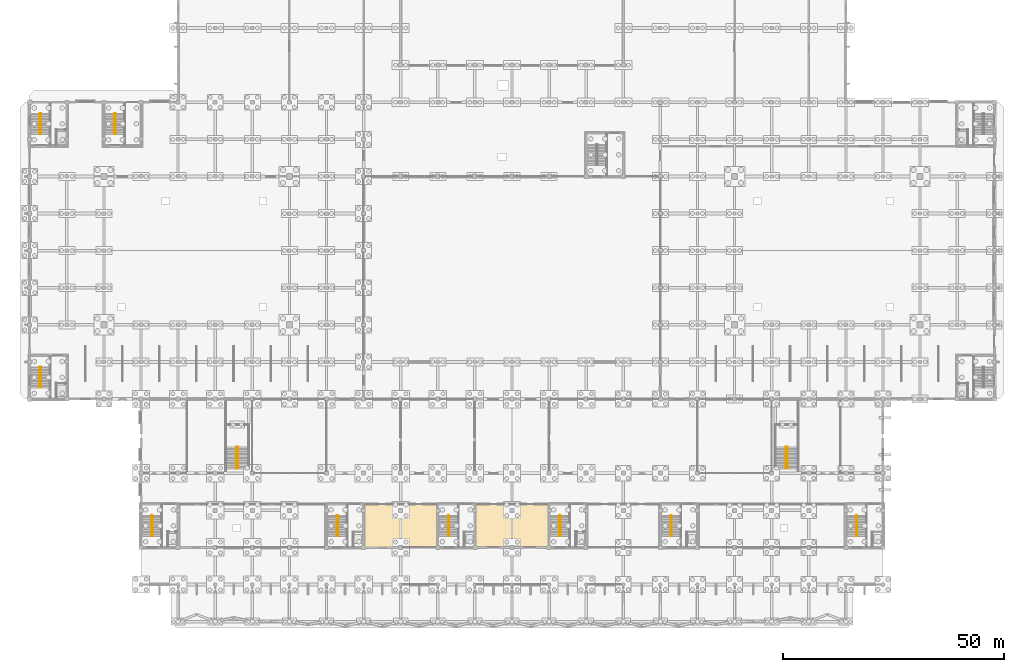
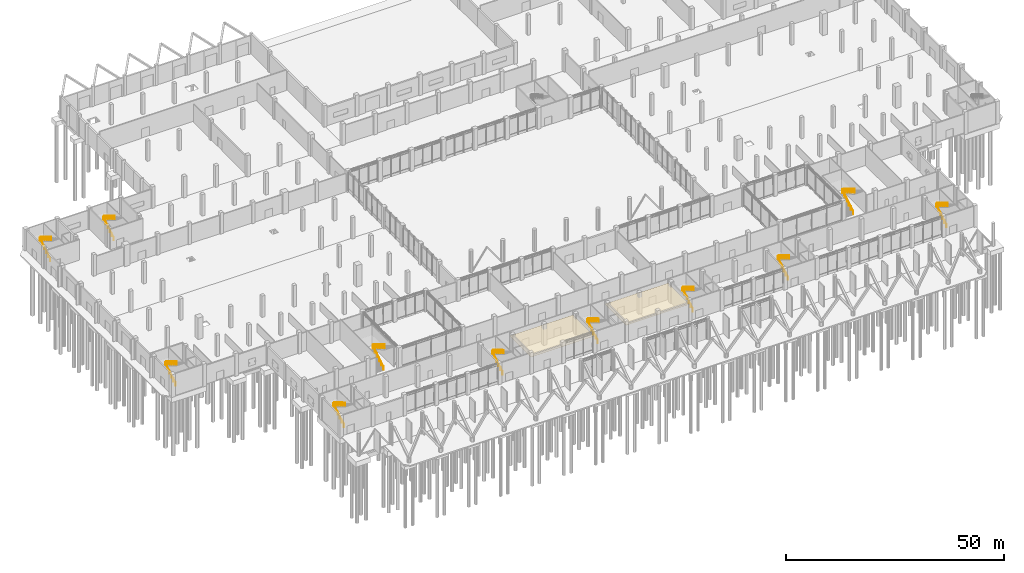
# One storey, part 70 of 72: 20 railings, 2 coverings.
"""IFC4 building model written with IfcOpenShell, lengths in metres."""

from ifc_helpers import new_model, si_unit, direction, frame, origin, origin_2d, place, context, subcontext, project, spatial, polyline, circle, outline, extrude, material, layer, layer_set, type_object, element, save


model = new_model("IFC4")

# Units and contexts
model_context = context("Model", 3, precision=1e-05, world=origin(), true_north=direction((0.0, 1.0)))
body_context = subcontext(model_context, "Body", "Model", "MODEL_VIEW")
ifc_project = project(units=[si_unit("LENGTHUNIT", "METRE"), si_unit("AREAUNIT", "SQUARE_METRE"), si_unit("VOLUMEUNIT", "CUBIC_METRE"), si_unit("PLANEANGLEUNIT", "RADIAN"), si_unit("MASSUNIT", "GRAM", prefix="KILO")], contexts=[model_context])

# Site, building, storey
site_placement = place(None, origin())
site = spatial("IfcSite", under=ifc_project, at=site_placement, CompositionType="ELEMENT")
building_placement = place(site_placement, origin())
building = spatial("IfcBuilding", under=site, at=building_placement, Name="Qawsi Khor Wholesale Market", CompositionType="ELEMENT")
storey_placement = place(building_placement, origin())
storey = spatial("IfcBuildingStorey", under=building, at=storey_placement, Name="L00", CompositionType="ELEMENT", Elevation=0.0)

# Railings
ifc_material_1 = material(Name="Brushed Stainless Steel 316", Category="steel")
railing_type_1 = type_object("IfcRailingType", Name="Atrium Guard Balustrade 1150", PredefinedType="BALUSTRADE", material=ifc_material_1)
railing_1_placement = place(storey_placement, frame((46.820068359375, 26.199951171875, 0.050048828125)))
element("IfcRailing", 1, at=railing_1_placement, inside=storey, type_object=railing_type_1, Name="Atrium stair well guard W L00", PredefinedType="BALUSTRADE", context=body_context, shape_type="SweptSolid", body=[
    extrude(circle(Radius=0.02392578125, at=origin_2d()), frame((0.0, 0.0, 1.1259765625), z_axis=(0.0, 0.854262269089, 0.519842260316), x_axis=(-1.0, 0.0, 0.0)), (0.0, 0.0, 1.0), 5.77099609375),
    extrude(circle(Radius=0.02392578125, at=origin_2d()), frame((0.0, 4.929931640625, 4.1259765625), z_axis=(1.0, 0.0, 0.0), x_axis=(0.0, 1.0, 0.0)), (0.0, 0.0, 1.0), 0.35986328125),
    extrude(circle(Radius=0.02392578125, at=origin_2d()), frame((0.35986328125, 4.929931640625, 4.1259765625), z_axis=(0.0, -0.854262269089, 0.519842260316), x_axis=(1.0, 0.0, 0.0)), (0.0, 0.0, 1.0), 5.77099609375),
    extrude(circle(Radius=0.02099609375, at=origin_2d()), origin(), (0.0, 0.0, 1.0), 1.101806640625),
    extrude(circle(Radius=0.02099609375, at=origin_2d()), frame((0.0, 0.986083984375, 0.60009765625)), (0.0, 0.0, 1.0), 1.101806640625),
    extrude(circle(Radius=0.02099609375, at=origin_2d()), frame((0.0, 1.971923828125, 1.199951171875)), (0.0, 0.0, 1.0), 1.101806640625),
    extrude(circle(Radius=0.02099609375, at=origin_2d()), frame((0.0, 2.9580078125, 1.800048828125)), (0.0, 0.0, 1.0), 1.101806640625),
    extrude(circle(Radius=0.02099609375, at=origin_2d()), frame((0.0, 3.94384765625, 2.39990234375)), (0.0, 0.0, 1.0), 1.101806640625),
    extrude(circle(Radius=0.02099609375, at=origin_2d()), frame((0.0, 4.929931640625, 3.0)), (0.0, 0.0, 1.0), 1.101806640625),
    extrude(circle(Radius=0.02099609375, at=origin_2d()), frame((0.35986328125, 4.929931640625, 3.0)), (0.0, 0.0, 1.0), 1.101806640625),
    extrude(circle(Radius=0.02099609375, at=origin_2d()), frame((0.35986328125, 3.94384765625, 3.60009765625)), (0.0, 0.0, 1.0), 1.101806640625),
    extrude(circle(Radius=0.02099609375, at=origin_2d()), frame((0.35986328125, 2.9580078125, 4.199951171875)), (0.0, 0.0, 1.0), 1.101806640625),
    extrude(circle(Radius=0.02099609375, at=origin_2d()), frame((0.35986328125, 1.971923828125, 4.800048828125)), (0.0, 0.0, 1.0), 1.101806640625),
    extrude(circle(Radius=0.02099609375, at=origin_2d()), frame((0.35986328125, 0.986083984375, 5.39990234375)), (0.0, 0.0, 1.0), 1.101806640625),
    extrude(circle(Radius=0.02099609375, at=origin_2d()), frame((0.35986328125, 0.0, 6.0)), (0.0, 0.0, 1.0), 1.101806640625),
])
railing_2_placement = place(storey_placement, frame((171.219970703125, 26.199951171875, 0.050048828125)))
element("IfcRailing", 2, at=railing_2_placement, inside=storey, type_object=railing_type_1, Name="Atrium stair well guard E L00", PredefinedType="BALUSTRADE", context=body_context, shape_type="SweptSolid", body=[
    extrude(circle(Radius=0.02392578125, at=origin_2d()), frame((0.0, 0.0, 1.1259765625), z_axis=(0.0, 0.854262269089, 0.519842260316), x_axis=(-1.0, 0.0, 0.0)), (0.0, 0.0, 1.0), 5.77099609375),
    extrude(circle(Radius=0.02392578125, at=origin_2d()), frame((0.0, 4.929931640625, 4.1259765625), z_axis=(1.0, 0.0, 0.0), x_axis=(0.0, 1.0, 0.0)), (0.0, 0.0, 1.0), 0.360107421875),
    extrude(circle(Radius=0.02392578125, at=origin_2d()), frame((0.360107421875, 4.929931640625, 4.1259765625), z_axis=(0.0, -0.854262269089, 0.519842260316), x_axis=(1.0, 0.0, 0.0)), (0.0, 0.0, 1.0), 5.77099609375),
    extrude(circle(Radius=0.02099609375, at=origin_2d()), origin(), (0.0, 0.0, 1.0), 1.101806640625),
    extrude(circle(Radius=0.02099609375, at=origin_2d()), frame((0.0, 0.986083984375, 0.60009765625)), (0.0, 0.0, 1.0), 1.101806640625),
    extrude(circle(Radius=0.02099609375, at=origin_2d()), frame((0.0, 1.971923828125, 1.199951171875)), (0.0, 0.0, 1.0), 1.101806640625),
    extrude(circle(Radius=0.02099609375, at=origin_2d()), frame((0.0, 2.9580078125, 1.800048828125)), (0.0, 0.0, 1.0), 1.101806640625),
    extrude(circle(Radius=0.02099609375, at=origin_2d()), frame((0.0, 3.94384765625, 2.39990234375)), (0.0, 0.0, 1.0), 1.101806640625),
    extrude(circle(Radius=0.02099609375, at=origin_2d()), frame((0.0, 4.929931640625, 3.0)), (0.0, 0.0, 1.0), 1.101806640625),
    extrude(circle(Radius=0.02099609375, at=origin_2d()), frame((0.360107421875, 4.929931640625, 3.0)), (0.0, 0.0, 1.0), 1.101806640625),
    extrude(circle(Radius=0.02099609375, at=origin_2d()), frame((0.360107421875, 3.94384765625, 3.60009765625)), (0.0, 0.0, 1.0), 1.101806640625),
    extrude(circle(Radius=0.02099609375, at=origin_2d()), frame((0.360107421875, 2.9580078125, 4.199951171875)), (0.0, 0.0, 1.0), 1.101806640625),
    extrude(circle(Radius=0.02099609375, at=origin_2d()), frame((0.360107421875, 1.971923828125, 4.800048828125)), (0.0, 0.0, 1.0), 1.101806640625),
    extrude(circle(Radius=0.02099609375, at=origin_2d()), frame((0.360107421875, 0.986083984375, 5.39990234375)), (0.0, 0.0, 1.0), 1.101806640625),
    extrude(circle(Radius=0.02099609375, at=origin_2d()), frame((0.360107421875, 0.0, 6.0)), (0.0, 0.0, 1.0), 1.101806640625),
])

# Coverings
ifc_material_2 = material(Name="Perforated Powder-Coated Aluminium Ceiling", Category="aluminium")
ifc_layer = layer(ifc_material_2, 0.034912109375, Name="Perforated Powder-Coated Aluminium Ceiling")
ifc_layer_set = layer_set([ifc_layer], Name="Perforated Powder-Coated Aluminium Ceiling")
covering_type = type_object("IfcCoveringType", Name="Perforated Acoustic Metal Tile Ceiling", PredefinedType="CEILING", material=ifc_layer_set)
covering_1_placement = place(storey_placement, frame((0.0, 0.0, 4.5)))
element("IfcCovering", 3, at=covering_1_placement, inside=storey, type_object=covering_type, Name="Suspended ceiling 1", PredefinedType="CEILING", context=body_context, shape_type="SweptSolid", body=[
    extrude(outline(polyline([(100.800048828125, 8.39990234375), (117.60009765625, 8.39990234375), (117.60009765625, 18.199951171875), (100.800048828125, 18.199951171875), (100.800048828125, 8.39990234375)])), origin(), (0.0, 0.0, 1.0), 0.034912109375),
])
covering_2_placement = place(storey_placement, frame((0.0, 0.0, 4.39990234375)))
element("IfcCovering", 4, at=covering_2_placement, inside=storey, type_object=covering_type, Name="Suspended ceiling 2", PredefinedType="CEILING", context=body_context, shape_type="SweptSolid", body=[
    extrude(outline(polyline([(75.60009765625, 8.39990234375), (92.39990234375, 8.39990234375), (92.39990234375, 18.199951171875), (75.60009765625, 18.199951171875), (75.60009765625, 8.39990234375)])), origin(), (0.0, 0.0, 1.0), 0.03515625),
])

# Railings
railing_type_2 = type_object("IfcRailingType", Name="Stair Pitch Handrail 920", PredefinedType="HANDRAIL", material=ifc_material_1)
railing_3_placement = place(storey_placement, frame((27.5400390625, 10.919921875, 0.166748046875)))
element("IfcRailing", 5, at=railing_3_placement, inside=storey, type_object=railing_type_2, Name="Stair handrail ST-01 L00 F1", PredefinedType="HANDRAIL", context=body_context, shape_type="SweptSolid", body=[
    extrude(circle(Radius=0.02392578125, at=origin_2d()), frame((0.0, 0.0, 0.89599609375), z_axis=(0.0, 0.859299802514, 0.511472237174), x_axis=(-1.0, 0.0, 0.0)), (0.0, 0.0, 1.0), 5.539306640625),
    extrude(circle(Radius=0.02099609375, at=origin_2d()), origin(), (0.0, 0.0, 1.0), 0.871826171875),
    extrude(circle(Radius=0.02099609375, at=origin_2d()), frame((0.0, 0.951904296875, 0.566650390625)), (0.0, 0.0, 1.0), 0.871826171875),
    extrude(circle(Radius=0.02099609375, at=origin_2d()), frame((0.0, 1.904052734375, 1.13330078125)), (0.0, 0.0, 1.0), 0.871826171875),
    extrude(circle(Radius=0.02099609375, at=origin_2d()), frame((0.0, 2.85595703125, 1.699951171875)), (0.0, 0.0, 1.0), 0.871826171875),
    extrude(circle(Radius=0.02099609375, at=origin_2d()), frame((0.0, 3.80810546875, 2.2666015625)), (0.0, 0.0, 1.0), 0.871826171875),
    extrude(circle(Radius=0.02099609375, at=origin_2d()), frame((0.0, 4.760009765625, 2.833251953125)), (0.0, 0.0, 1.0), 0.871826171875),
])
railing_4_placement = place(storey_placement, frame((27.800048828125, 15.679931640625, 3.166748046875)))
element("IfcRailing", 6, at=railing_4_placement, inside=storey, type_object=railing_type_2, Name="Stair handrail ST-01 L00 F2", PredefinedType="HANDRAIL", context=body_context, shape_type="SweptSolid", body=[
    extrude(circle(Radius=0.02392578125, at=origin_2d()), frame((0.0, 0.0, 0.89599609375), z_axis=(0.0, -0.859299802514, 0.511472237174), x_axis=(1.0, 0.0, 0.0)), (0.0, 0.0, 1.0), 5.539306640625),
    extrude(circle(Radius=0.02099609375, at=origin_2d()), origin(), (0.0, 0.0, 1.0), 0.871826171875),
    extrude(circle(Radius=0.02099609375, at=origin_2d()), frame((0.0, -0.951904296875, 0.566650390625)), (0.0, 0.0, 1.0), 0.871826171875),
    extrude(circle(Radius=0.02099609375, at=origin_2d()), frame((0.0, -1.904052734375, 1.13330078125)), (0.0, 0.0, 1.0), 0.871826171875),
    extrude(circle(Radius=0.02099609375, at=origin_2d()), frame((0.0, -2.85595703125, 1.699951171875)), (0.0, 0.0, 1.0), 0.871826171875),
    extrude(circle(Radius=0.02099609375, at=origin_2d()), frame((0.0, -3.80810546875, 2.2666015625)), (0.0, 0.0, 1.0), 0.871826171875),
    extrude(circle(Radius=0.02099609375, at=origin_2d()), frame((0.0, -4.760009765625, 2.833251953125)), (0.0, 0.0, 1.0), 0.871826171875),
])
railing_5_placement = place(storey_placement, frame((69.5400390625, 10.919921875, 0.166748046875)))
element("IfcRailing", 7, at=railing_5_placement, inside=storey, type_object=railing_type_2, Name="Stair handrail ST-02 L00 F1", PredefinedType="HANDRAIL", context=body_context, shape_type="SweptSolid", body=[
    extrude(circle(Radius=0.02392578125, at=origin_2d()), frame((0.0, 0.0, 0.89599609375), z_axis=(0.0, 0.859299802514, 0.511472237174), x_axis=(-1.0, 0.0, 0.0)), (0.0, 0.0, 1.0), 5.539306640625),
    extrude(circle(Radius=0.02099609375, at=origin_2d()), origin(), (0.0, 0.0, 1.0), 0.871826171875),
    extrude(circle(Radius=0.02099609375, at=origin_2d()), frame((0.0, 0.951904296875, 0.566650390625)), (0.0, 0.0, 1.0), 0.871826171875),
    extrude(circle(Radius=0.02099609375, at=origin_2d()), frame((0.0, 1.904052734375, 1.13330078125)), (0.0, 0.0, 1.0), 0.871826171875),
    extrude(circle(Radius=0.02099609375, at=origin_2d()), frame((0.0, 2.85595703125, 1.699951171875)), (0.0, 0.0, 1.0), 0.871826171875),
    extrude(circle(Radius=0.02099609375, at=origin_2d()), frame((0.0, 3.80810546875, 2.2666015625)), (0.0, 0.0, 1.0), 0.871826171875),
    extrude(circle(Radius=0.02099609375, at=origin_2d()), frame((0.0, 4.760009765625, 2.833251953125)), (0.0, 0.0, 1.0), 0.871826171875),
])
railing_6_placement = place(storey_placement, frame((69.800048828125, 15.679931640625, 3.166748046875)))
element("IfcRailing", 8, at=railing_6_placement, inside=storey, type_object=railing_type_2, Name="Stair handrail ST-02 L00 F2", PredefinedType="HANDRAIL", context=body_context, shape_type="SweptSolid", body=[
    extrude(circle(Radius=0.02392578125, at=origin_2d()), frame((0.0, 0.0, 0.89599609375), z_axis=(0.0, -0.859299802514, 0.511472237174), x_axis=(1.0, 0.0, 0.0)), (0.0, 0.0, 1.0), 5.539306640625),
    extrude(circle(Radius=0.02099609375, at=origin_2d()), origin(), (0.0, 0.0, 1.0), 0.871826171875),
    extrude(circle(Radius=0.02099609375, at=origin_2d()), frame((0.0, -0.951904296875, 0.566650390625)), (0.0, 0.0, 1.0), 0.871826171875),
    extrude(circle(Radius=0.02099609375, at=origin_2d()), frame((0.0, -1.904052734375, 1.13330078125)), (0.0, 0.0, 1.0), 0.871826171875),
    extrude(circle(Radius=0.02099609375, at=origin_2d()), frame((0.0, -2.85595703125, 1.699951171875)), (0.0, 0.0, 1.0), 0.871826171875),
    extrude(circle(Radius=0.02099609375, at=origin_2d()), frame((0.0, -3.80810546875, 2.2666015625)), (0.0, 0.0, 1.0), 0.871826171875),
    extrude(circle(Radius=0.02099609375, at=origin_2d()), frame((0.0, -4.760009765625, 2.833251953125)), (0.0, 0.0, 1.0), 0.871826171875),
])
railing_7_placement = place(storey_placement, frame((94.739990234375, 10.919921875, 0.166748046875)))
element("IfcRailing", 9, at=railing_7_placement, inside=storey, type_object=railing_type_2, Name="Stair handrail ST-03 L00 F1", PredefinedType="HANDRAIL", context=body_context, shape_type="SweptSolid", body=[
    extrude(circle(Radius=0.02392578125, at=origin_2d()), frame((0.0, 0.0, 0.89599609375), z_axis=(0.0, 0.859299802514, 0.511472237174), x_axis=(-1.0, 0.0, 0.0)), (0.0, 0.0, 1.0), 5.539306640625),
    extrude(circle(Radius=0.02099609375, at=origin_2d()), origin(), (0.0, 0.0, 1.0), 0.871826171875),
    extrude(circle(Radius=0.02099609375, at=origin_2d()), frame((0.0, 0.951904296875, 0.566650390625)), (0.0, 0.0, 1.0), 0.871826171875),
    extrude(circle(Radius=0.02099609375, at=origin_2d()), frame((0.0, 1.904052734375, 1.13330078125)), (0.0, 0.0, 1.0), 0.871826171875),
    extrude(circle(Radius=0.02099609375, at=origin_2d()), frame((0.0, 2.85595703125, 1.699951171875)), (0.0, 0.0, 1.0), 0.871826171875),
    extrude(circle(Radius=0.02099609375, at=origin_2d()), frame((0.0, 3.80810546875, 2.2666015625)), (0.0, 0.0, 1.0), 0.871826171875),
    extrude(circle(Radius=0.02099609375, at=origin_2d()), frame((0.0, 4.760009765625, 2.833251953125)), (0.0, 0.0, 1.0), 0.871826171875),
])
railing_8_placement = place(storey_placement, frame((95.0, 15.679931640625, 3.166748046875)))
element("IfcRailing", 10, at=railing_8_placement, inside=storey, type_object=railing_type_2, Name="Stair handrail ST-03 L00 F2", PredefinedType="HANDRAIL", context=body_context, shape_type="SweptSolid", body=[
    extrude(circle(Radius=0.02392578125, at=origin_2d()), frame((0.0, 0.0, 0.89599609375), z_axis=(0.0, -0.859299802514, 0.511472237174), x_axis=(1.0, 0.0, 0.0)), (0.0, 0.0, 1.0), 5.539306640625),
    extrude(circle(Radius=0.02099609375, at=origin_2d()), origin(), (0.0, 0.0, 1.0), 0.871826171875),
    extrude(circle(Radius=0.02099609375, at=origin_2d()), frame((0.0, -0.951904296875, 0.566650390625)), (0.0, 0.0, 1.0), 0.871826171875),
    extrude(circle(Radius=0.02099609375, at=origin_2d()), frame((0.0, -1.904052734375, 1.13330078125)), (0.0, 0.0, 1.0), 0.871826171875),
    extrude(circle(Radius=0.02099609375, at=origin_2d()), frame((0.0, -2.85595703125, 1.699951171875)), (0.0, 0.0, 1.0), 0.871826171875),
    extrude(circle(Radius=0.02099609375, at=origin_2d()), frame((0.0, -3.80810546875, 2.2666015625)), (0.0, 0.0, 1.0), 0.871826171875),
    extrude(circle(Radius=0.02099609375, at=origin_2d()), frame((0.0, -4.760009765625, 2.833251953125)), (0.0, 0.0, 1.0), 0.871826171875),
])
railing_9_placement = place(storey_placement, frame((119.93994140625, 10.919921875, 0.166748046875)))
element("IfcRailing", 11, at=railing_9_placement, inside=storey, type_object=railing_type_2, Name="Stair handrail ST-04 L00 F1", PredefinedType="HANDRAIL", context=body_context, shape_type="SweptSolid", body=[
    extrude(circle(Radius=0.02392578125, at=origin_2d()), frame((0.0, 0.0, 0.89599609375), z_axis=(0.0, 0.859299802514, 0.511472237174), x_axis=(-1.0, 0.0, 0.0)), (0.0, 0.0, 1.0), 5.539306640625),
    extrude(circle(Radius=0.02099609375, at=origin_2d()), origin(), (0.0, 0.0, 1.0), 0.871826171875),
    extrude(circle(Radius=0.02099609375, at=origin_2d()), frame((0.0, 0.951904296875, 0.566650390625)), (0.0, 0.0, 1.0), 0.871826171875),
    extrude(circle(Radius=0.02099609375, at=origin_2d()), frame((0.0, 1.904052734375, 1.13330078125)), (0.0, 0.0, 1.0), 0.871826171875),
    extrude(circle(Radius=0.02099609375, at=origin_2d()), frame((0.0, 2.85595703125, 1.699951171875)), (0.0, 0.0, 1.0), 0.871826171875),
    extrude(circle(Radius=0.02099609375, at=origin_2d()), frame((0.0, 3.80810546875, 2.2666015625)), (0.0, 0.0, 1.0), 0.871826171875),
    extrude(circle(Radius=0.02099609375, at=origin_2d()), frame((0.0, 4.760009765625, 2.833251953125)), (0.0, 0.0, 1.0), 0.871826171875),
])
railing_10_placement = place(storey_placement, frame((120.199951171875, 15.679931640625, 3.166748046875)))
element("IfcRailing", 12, at=railing_10_placement, inside=storey, type_object=railing_type_2, Name="Stair handrail ST-04 L00 F2", PredefinedType="HANDRAIL", context=body_context, shape_type="SweptSolid", body=[
    extrude(circle(Radius=0.02392578125, at=origin_2d()), frame((0.0, 0.0, 0.89599609375), z_axis=(0.0, -0.859299802514, 0.511472237174), x_axis=(1.0, 0.0, 0.0)), (0.0, 0.0, 1.0), 5.539306640625),
    extrude(circle(Radius=0.02099609375, at=origin_2d()), origin(), (0.0, 0.0, 1.0), 0.871826171875),
    extrude(circle(Radius=0.02099609375, at=origin_2d()), frame((0.0, -0.951904296875, 0.566650390625)), (0.0, 0.0, 1.0), 0.871826171875),
    extrude(circle(Radius=0.02099609375, at=origin_2d()), frame((0.0, -1.904052734375, 1.13330078125)), (0.0, 0.0, 1.0), 0.871826171875),
    extrude(circle(Radius=0.02099609375, at=origin_2d()), frame((0.0, -2.85595703125, 1.699951171875)), (0.0, 0.0, 1.0), 0.871826171875),
    extrude(circle(Radius=0.02099609375, at=origin_2d()), frame((0.0, -3.80810546875, 2.2666015625)), (0.0, 0.0, 1.0), 0.871826171875),
    extrude(circle(Radius=0.02099609375, at=origin_2d()), frame((0.0, -4.760009765625, 2.833251953125)), (0.0, 0.0, 1.0), 0.871826171875),
])
railing_11_placement = place(storey_placement, frame((145.139892578125, 10.919921875, 0.166748046875)))
element("IfcRailing", 13, at=railing_11_placement, inside=storey, type_object=railing_type_2, Name="Stair handrail ST-05 L00 F1", PredefinedType="HANDRAIL", context=body_context, shape_type="SweptSolid", body=[
    extrude(circle(Radius=0.02392578125, at=origin_2d()), frame((0.0, 0.0, 0.89599609375), z_axis=(0.0, 0.859299802514, 0.511472237174), x_axis=(-1.0, 0.0, 0.0)), (0.0, 0.0, 1.0), 5.539306640625),
    extrude(circle(Radius=0.02099609375, at=origin_2d()), origin(), (0.0, 0.0, 1.0), 0.871826171875),
    extrude(circle(Radius=0.02099609375, at=origin_2d()), frame((0.0, 0.951904296875, 0.566650390625)), (0.0, 0.0, 1.0), 0.871826171875),
    extrude(circle(Radius=0.02099609375, at=origin_2d()), frame((0.0, 1.904052734375, 1.13330078125)), (0.0, 0.0, 1.0), 0.871826171875),
    extrude(circle(Radius=0.02099609375, at=origin_2d()), frame((0.0, 2.85595703125, 1.699951171875)), (0.0, 0.0, 1.0), 0.871826171875),
    extrude(circle(Radius=0.02099609375, at=origin_2d()), frame((0.0, 3.80810546875, 2.2666015625)), (0.0, 0.0, 1.0), 0.871826171875),
    extrude(circle(Radius=0.02099609375, at=origin_2d()), frame((0.0, 4.760009765625, 2.833251953125)), (0.0, 0.0, 1.0), 0.871826171875),
])
railing_12_placement = place(storey_placement, frame((145.39990234375, 15.679931640625, 3.166748046875)))
element("IfcRailing", 14, at=railing_12_placement, inside=storey, type_object=railing_type_2, Name="Stair handrail ST-05 L00 F2", PredefinedType="HANDRAIL", context=body_context, shape_type="SweptSolid", body=[
    extrude(circle(Radius=0.02392578125, at=origin_2d()), frame((0.0, 0.0, 0.89599609375), z_axis=(0.0, -0.859299802514, 0.511472237174), x_axis=(1.0, 0.0, 0.0)), (0.0, 0.0, 1.0), 5.539306640625),
    extrude(circle(Radius=0.02099609375, at=origin_2d()), origin(), (0.0, 0.0, 1.0), 0.871826171875),
    extrude(circle(Radius=0.02099609375, at=origin_2d()), frame((0.0, -0.951904296875, 0.566650390625)), (0.0, 0.0, 1.0), 0.871826171875),
    extrude(circle(Radius=0.02099609375, at=origin_2d()), frame((0.0, -1.904052734375, 1.13330078125)), (0.0, 0.0, 1.0), 0.871826171875),
    extrude(circle(Radius=0.02099609375, at=origin_2d()), frame((0.0, -2.85595703125, 1.699951171875)), (0.0, 0.0, 1.0), 0.871826171875),
    extrude(circle(Radius=0.02099609375, at=origin_2d()), frame((0.0, -3.80810546875, 2.2666015625)), (0.0, 0.0, 1.0), 0.871826171875),
    extrude(circle(Radius=0.02099609375, at=origin_2d()), frame((0.0, -4.760009765625, 2.833251953125)), (0.0, 0.0, 1.0), 0.871826171875),
])
railing_13_placement = place(storey_placement, frame((187.139892578125, 10.919921875, 0.166748046875)))
element("IfcRailing", 15, at=railing_13_placement, inside=storey, type_object=railing_type_2, Name="Stair handrail ST-06 L00 F1", PredefinedType="HANDRAIL", context=body_context, shape_type="SweptSolid", body=[
    extrude(circle(Radius=0.02392578125, at=origin_2d()), frame((0.0, 0.0, 0.89599609375), z_axis=(0.0, 0.859299802514, 0.511472237174), x_axis=(-1.0, 0.0, 0.0)), (0.0, 0.0, 1.0), 5.539306640625),
    extrude(circle(Radius=0.02099609375, at=origin_2d()), origin(), (0.0, 0.0, 1.0), 0.871826171875),
    extrude(circle(Radius=0.02099609375, at=origin_2d()), frame((0.0, 0.951904296875, 0.566650390625)), (0.0, 0.0, 1.0), 0.871826171875),
    extrude(circle(Radius=0.02099609375, at=origin_2d()), frame((0.0, 1.904052734375, 1.13330078125)), (0.0, 0.0, 1.0), 0.871826171875),
    extrude(circle(Radius=0.02099609375, at=origin_2d()), frame((0.0, 2.85595703125, 1.699951171875)), (0.0, 0.0, 1.0), 0.871826171875),
    extrude(circle(Radius=0.02099609375, at=origin_2d()), frame((0.0, 3.80810546875, 2.2666015625)), (0.0, 0.0, 1.0), 0.871826171875),
    extrude(circle(Radius=0.02099609375, at=origin_2d()), frame((0.0, 4.760009765625, 2.833251953125)), (0.0, 0.0, 1.0), 0.871826171875),
])
railing_14_placement = place(storey_placement, frame((187.39990234375, 15.679931640625, 3.166748046875)))
element("IfcRailing", 16, at=railing_14_placement, inside=storey, type_object=railing_type_2, Name="Stair handrail ST-06 L00 F2", PredefinedType="HANDRAIL", context=body_context, shape_type="SweptSolid", body=[
    extrude(circle(Radius=0.02392578125, at=origin_2d()), frame((0.0, 0.0, 0.89599609375), z_axis=(0.0, -0.859299802514, 0.511472237174), x_axis=(1.0, 0.0, 0.0)), (0.0, 0.0, 1.0), 5.539306640625),
    extrude(circle(Radius=0.02099609375, at=origin_2d()), origin(), (0.0, 0.0, 1.0), 0.871826171875),
    extrude(circle(Radius=0.02099609375, at=origin_2d()), frame((0.0, -0.951904296875, 0.566650390625)), (0.0, 0.0, 1.0), 0.871826171875),
    extrude(circle(Radius=0.02099609375, at=origin_2d()), frame((0.0, -1.904052734375, 1.13330078125)), (0.0, 0.0, 1.0), 0.871826171875),
    extrude(circle(Radius=0.02099609375, at=origin_2d()), frame((0.0, -2.85595703125, 1.699951171875)), (0.0, 0.0, 1.0), 0.871826171875),
    extrude(circle(Radius=0.02099609375, at=origin_2d()), frame((0.0, -3.80810546875, 2.2666015625)), (0.0, 0.0, 1.0), 0.871826171875),
    extrude(circle(Radius=0.02099609375, at=origin_2d()), frame((0.0, -4.760009765625, 2.833251953125)), (0.0, 0.0, 1.0), 0.871826171875),
])
railing_15_placement = place(storey_placement, frame((2.340087890625, 44.52001953125, 0.166748046875)))
element("IfcRailing", 17, at=railing_15_placement, inside=storey, type_object=railing_type_2, Name="Stair handrail ST-07 L00 F1", PredefinedType="HANDRAIL", context=body_context, shape_type="SweptSolid", body=[
    extrude(circle(Radius=0.02392578125, at=origin_2d()), frame((0.0, 0.0, 0.89599609375), z_axis=(0.0, 0.859299802514, 0.511472237174), x_axis=(-1.0, 0.0, 0.0)), (0.0, 0.0, 1.0), 5.539306640625),
    extrude(circle(Radius=0.02099609375, at=origin_2d()), origin(), (0.0, 0.0, 1.0), 0.871826171875),
    extrude(circle(Radius=0.02099609375, at=origin_2d()), frame((0.0, 0.951904296875, 0.566650390625)), (0.0, 0.0, 1.0), 0.871826171875),
    extrude(circle(Radius=0.02099609375, at=origin_2d()), frame((0.0, 1.904052734375, 1.13330078125)), (0.0, 0.0, 1.0), 0.871826171875),
    extrude(circle(Radius=0.02099609375, at=origin_2d()), frame((0.0, 2.85595703125, 1.699951171875)), (0.0, 0.0, 1.0), 0.871826171875),
    extrude(circle(Radius=0.02099609375, at=origin_2d()), frame((0.0, 3.80810546875, 2.2666015625)), (0.0, 0.0, 1.0), 0.871826171875),
    extrude(circle(Radius=0.02099609375, at=origin_2d()), frame((0.0, 4.760009765625, 2.833251953125)), (0.0, 0.0, 1.0), 0.871826171875),
])
railing_16_placement = place(storey_placement, frame((2.60009765625, 49.280029296875, 3.166748046875)))
element("IfcRailing", 18, at=railing_16_placement, inside=storey, type_object=railing_type_2, Name="Stair handrail ST-07 L00 F2", PredefinedType="HANDRAIL", context=body_context, shape_type="SweptSolid", body=[
    extrude(circle(Radius=0.02392578125, at=origin_2d()), frame((0.0, 0.0, 0.89599609375), z_axis=(0.0, -0.859299802514, 0.511472237174), x_axis=(1.0, 0.0, 0.0)), (0.0, 0.0, 1.0), 5.539306640625),
    extrude(circle(Radius=0.02099609375, at=origin_2d()), origin(), (0.0, 0.0, 1.0), 0.871826171875),
    extrude(circle(Radius=0.02099609375, at=origin_2d()), frame((0.0, -0.951904296875, 0.566650390625)), (0.0, 0.0, 1.0), 0.871826171875),
    extrude(circle(Radius=0.02099609375, at=origin_2d()), frame((0.0, -1.904052734375, 1.13330078125)), (0.0, 0.0, 1.0), 0.871826171875),
    extrude(circle(Radius=0.02099609375, at=origin_2d()), frame((0.0, -2.85595703125, 1.699951171875)), (0.0, 0.0, 1.0), 0.871826171875),
    extrude(circle(Radius=0.02099609375, at=origin_2d()), frame((0.0, -3.80810546875, 2.2666015625)), (0.0, 0.0, 1.0), 0.871826171875),
    extrude(circle(Radius=0.02099609375, at=origin_2d()), frame((0.0, -4.760009765625, 2.833251953125)), (0.0, 0.0, 1.0), 0.871826171875),
])
railing_17_placement = place(storey_placement, frame((2.340087890625, 101.919921875, 0.166748046875)))
element("IfcRailing", 19, at=railing_17_placement, inside=storey, type_object=railing_type_2, Name="Stair handrail ST-08 L00 F1", PredefinedType="HANDRAIL", context=body_context, shape_type="SweptSolid", body=[
    extrude(circle(Radius=0.02392578125, at=origin_2d()), frame((0.0, 0.0, 0.89599609375), z_axis=(0.0, 0.859299802514, 0.511472237174), x_axis=(-1.0, 0.0, 0.0)), (0.0, 0.0, 1.0), 5.539306640625),
    extrude(circle(Radius=0.02099609375, at=origin_2d()), origin(), (0.0, 0.0, 1.0), 0.871826171875),
    extrude(circle(Radius=0.02099609375, at=origin_2d()), frame((0.0, 0.951904296875, 0.566650390625)), (0.0, 0.0, 1.0), 0.871826171875),
    extrude(circle(Radius=0.02099609375, at=origin_2d()), frame((0.0, 1.904052734375, 1.13330078125)), (0.0, 0.0, 1.0), 0.871826171875),
    extrude(circle(Radius=0.02099609375, at=origin_2d()), frame((0.0, 2.85595703125, 1.699951171875)), (0.0, 0.0, 1.0), 0.871826171875),
    extrude(circle(Radius=0.02099609375, at=origin_2d()), frame((0.0, 3.80810546875, 2.2666015625)), (0.0, 0.0, 1.0), 0.871826171875),
    extrude(circle(Radius=0.02099609375, at=origin_2d()), frame((0.0, 4.760009765625, 2.833251953125)), (0.0, 0.0, 1.0), 0.871826171875),
])
railing_18_placement = place(storey_placement, frame((2.60009765625, 106.679931640625, 3.166748046875)))
element("IfcRailing", 20, at=railing_18_placement, inside=storey, type_object=railing_type_2, Name="Stair handrail ST-08 L00 F2", PredefinedType="HANDRAIL", context=body_context, shape_type="SweptSolid", body=[
    extrude(circle(Radius=0.02392578125, at=origin_2d()), frame((0.0, 0.0, 0.89599609375), z_axis=(0.0, -0.859299802514, 0.511472237174), x_axis=(1.0, 0.0, 0.0)), (0.0, 0.0, 1.0), 5.539306640625),
    extrude(circle(Radius=0.02099609375, at=origin_2d()), origin(), (0.0, 0.0, 1.0), 0.871826171875),
    extrude(circle(Radius=0.02099609375, at=origin_2d()), frame((0.0, -0.951904296875, 0.566650390625)), (0.0, 0.0, 1.0), 0.871826171875),
    extrude(circle(Radius=0.02099609375, at=origin_2d()), frame((0.0, -1.904052734375, 1.13330078125)), (0.0, 0.0, 1.0), 0.871826171875),
    extrude(circle(Radius=0.02099609375, at=origin_2d()), frame((0.0, -2.85595703125, 1.699951171875)), (0.0, 0.0, 1.0), 0.871826171875),
    extrude(circle(Radius=0.02099609375, at=origin_2d()), frame((0.0, -3.80810546875, 2.2666015625)), (0.0, 0.0, 1.0), 0.871826171875),
    extrude(circle(Radius=0.02099609375, at=origin_2d()), frame((0.0, -4.760009765625, 2.833251953125)), (0.0, 0.0, 1.0), 0.871826171875),
])
railing_19_placement = place(storey_placement, frame((19.139892578125, 101.919921875, 0.166748046875)))
element("IfcRailing", 21, at=railing_19_placement, inside=storey, type_object=railing_type_2, Name="Stair handrail ST-09 L00 F1", PredefinedType="HANDRAIL", context=body_context, shape_type="SweptSolid", body=[
    extrude(circle(Radius=0.02392578125, at=origin_2d()), frame((0.0, 0.0, 0.89599609375), z_axis=(0.0, 0.859299802514, 0.511472237174), x_axis=(-1.0, 0.0, 0.0)), (0.0, 0.0, 1.0), 5.539306640625),
    extrude(circle(Radius=0.02099609375, at=origin_2d()), origin(), (0.0, 0.0, 1.0), 0.871826171875),
    extrude(circle(Radius=0.02099609375, at=origin_2d()), frame((0.0, 0.951904296875, 0.566650390625)), (0.0, 0.0, 1.0), 0.871826171875),
    extrude(circle(Radius=0.02099609375, at=origin_2d()), frame((0.0, 1.904052734375, 1.13330078125)), (0.0, 0.0, 1.0), 0.871826171875),
    extrude(circle(Radius=0.02099609375, at=origin_2d()), frame((0.0, 2.85595703125, 1.699951171875)), (0.0, 0.0, 1.0), 0.871826171875),
    extrude(circle(Radius=0.02099609375, at=origin_2d()), frame((0.0, 3.80810546875, 2.2666015625)), (0.0, 0.0, 1.0), 0.871826171875),
    extrude(circle(Radius=0.02099609375, at=origin_2d()), frame((0.0, 4.760009765625, 2.833251953125)), (0.0, 0.0, 1.0), 0.871826171875),
])
railing_20_placement = place(storey_placement, frame((19.39990234375, 106.679931640625, 3.166748046875)))
element("IfcRailing", 22, at=railing_20_placement, inside=storey, type_object=railing_type_2, Name="Stair handrail ST-09 L00 F2", PredefinedType="HANDRAIL", context=body_context, shape_type="SweptSolid", body=[
    extrude(circle(Radius=0.02392578125, at=origin_2d()), frame((0.0, 0.0, 0.89599609375), z_axis=(0.0, -0.859299802514, 0.511472237174), x_axis=(1.0, 0.0, 0.0)), (0.0, 0.0, 1.0), 5.539306640625),
    extrude(circle(Radius=0.02099609375, at=origin_2d()), origin(), (0.0, 0.0, 1.0), 0.871826171875),
    extrude(circle(Radius=0.02099609375, at=origin_2d()), frame((0.0, -0.951904296875, 0.566650390625)), (0.0, 0.0, 1.0), 0.871826171875),
    extrude(circle(Radius=0.02099609375, at=origin_2d()), frame((0.0, -1.904052734375, 1.13330078125)), (0.0, 0.0, 1.0), 0.871826171875),
    extrude(circle(Radius=0.02099609375, at=origin_2d()), frame((0.0, -2.85595703125, 1.699951171875)), (0.0, 0.0, 1.0), 0.871826171875),
    extrude(circle(Radius=0.02099609375, at=origin_2d()), frame((0.0, -3.80810546875, 2.2666015625)), (0.0, 0.0, 1.0), 0.871826171875),
    extrude(circle(Radius=0.02099609375, at=origin_2d()), frame((0.0, -4.760009765625, 2.833251953125)), (0.0, 0.0, 1.0), 0.871826171875),
])

save(model, "model.ifc")
